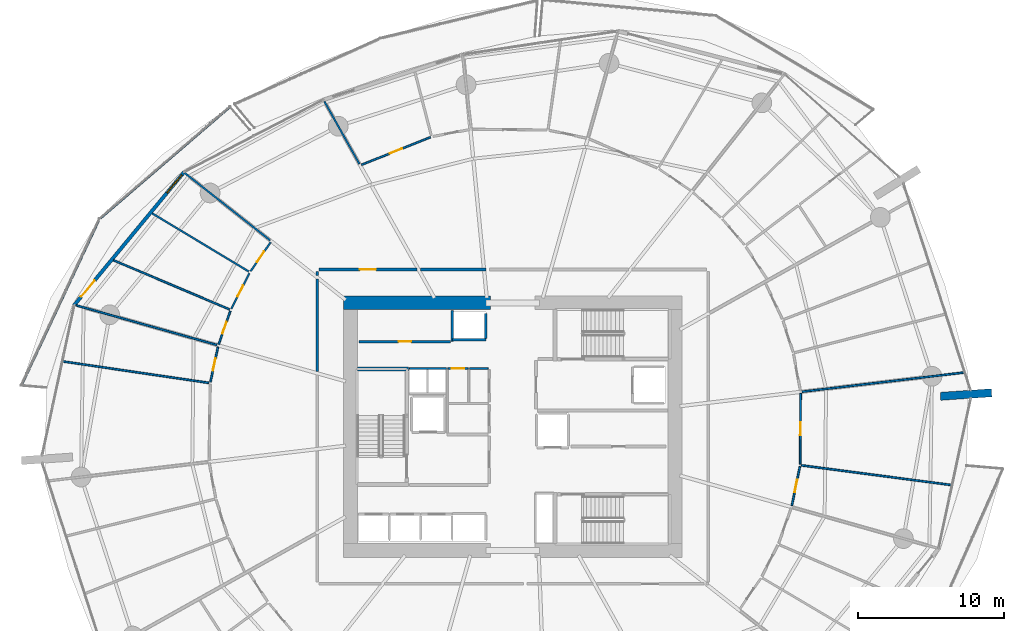
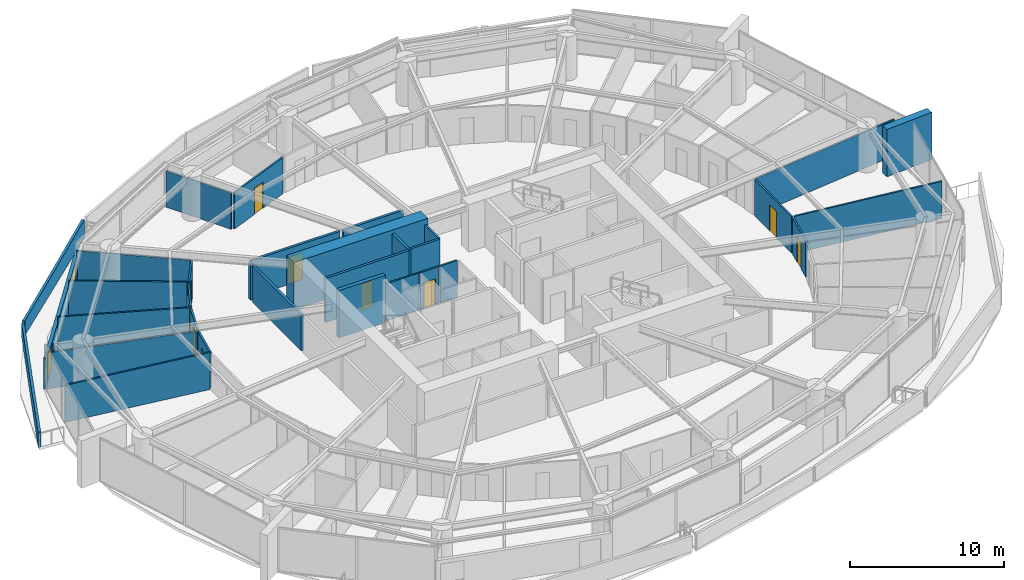
# One storey, part 22 of 31: 32 walls, 11 doors, 1 window, 12 openings.
"""IFC4 building model written with IfcOpenShell, lengths in metres."""

from ifc_helpers import new_model, si_unit, direction, frame, frame_2d, origin, place, context, subcontext, project, spatial, polyline, rectangle, outline, extrude, material, layer, layer_set, type_object, element, fill, save


model = new_model("IFC4")

# Units and contexts
model_context = context("Model", 3, precision=1e-05, world=origin(), true_north=direction((0.0, 1.0)))
body_context = subcontext(model_context, "Body", "Model", "MODEL_VIEW")
ifc_project = project(units=[si_unit("LENGTHUNIT", "METRE"), si_unit("AREAUNIT", "SQUARE_METRE"), si_unit("VOLUMEUNIT", "CUBIC_METRE"), si_unit("PLANEANGLEUNIT", "RADIAN"), si_unit("MASSUNIT", "GRAM", prefix="KILO")], contexts=[model_context])

# Site, building, storey
site_placement = place(None, origin())
site = spatial("IfcSite", under=ifc_project, at=site_placement, CompositionType="ELEMENT")
building_placement = place(site_placement, origin())
building = spatial("IfcBuilding", under=site, at=building_placement, Name="Kazma Halo Residences", CompositionType="ELEMENT")
storey_placement = place(building_placement, frame((0.0, 0.0, 30.14990234375)))
storey = spatial("IfcBuildingStorey", under=building, at=storey_placement, Name="L06", CompositionType="ELEMENT", Elevation=30.14990234375)

# Walls
ifc_material_1 = material(Name="White Concrete C50/60 Balustrade", Category="concrete")
ifc_layer_1 = layer(ifc_material_1, 0.179931640625)
ifc_layer_set_1 = layer_set([ifc_layer_1], Name="White Concrete C50/60 Balustrade")
wall_type_1 = type_object("IfcWallType", Name="WL-BAL-WAVE-180", PredefinedType="PARAPET", material=ifc_layer_set_1)
wall_1_placement = place(storey_placement, frame((29.07958984375, 63.881103515625, 0.0), z_axis=(0.0, 0.0, 1.0), x_axis=(-0.758371329303, -0.651822772609, 0.0)))
element("IfcWall", 1, at=wall_1_placement, inside=storey, type_object=wall_type_1, Name="L06 white wave balustrade wall NW.1", PredefinedType="PARAPET", context=body_context, shape_type="SweptSolid", body=[
    extrude(outline(polyline([(0.0, 0.0), (11.669921875, 0.0), (11.669677734375, 1.148193359375), (5.8349609375, 1.2841796875), (0.0, 1.483154296875), (0.0, 0.0)])), frame((0.0, 0.08984375, 0.0), z_axis=(0.0, -1.0, 0.0), x_axis=(1.0, 0.0, 0.0)), (0.0, 0.0, 1.0), 0.179931640625),
])
wall_2_placement = place(storey_placement, frame((20.087646484375, 56.08740234375, 0.0), z_axis=(0.0, 0.0, 1.0), x_axis=(-0.424187605295, -0.905574334615, 0.0)))
element("IfcWall", 2, at=wall_2_placement, inside=storey, type_object=wall_type_1, Name="L06 white wave balustrade wall NW.2", PredefinedType="PARAPET", context=body_context, shape_type="SweptSolid", body=[
    extrude(outline(polyline([(0.0, 0.0), (12.4462890625, 0.0), (12.4462890625, 1.22412109375), (6.22314453125, 1.127197265625), (0.0, 1.148193359375), (0.0, 0.0)])), frame((0.0, 0.08984375, 0.0), z_axis=(0.0, -1.0, 0.0), x_axis=(1.0, 0.0, 0.0)), (0.0, 0.0, 1.0), 0.179931640625),
])
ifc_material_2 = material(Name="Pale Concrete C60/75", Category="concrete")
ifc_layer_2 = layer(ifc_material_2, 0.550048828125)
ifc_layer_set_2 = layer_set([ifc_layer_2], Name="Pale Concrete C60/75")
wall_type_2 = type_object("IfcWallType", Name="WL-BLADE-550", PredefinedType="SOLIDWALL", material=ifc_layer_set_2)
wall_3_placement = place(storey_placement, frame((77.677978515625, 44.0751953125, 0.0), z_axis=(0.0, 0.0, 1.0), x_axis=(0.997564163539, 0.069754853754, 0.0)))
element("IfcWall", 3, at=wall_3_placement, inside=storey, type_object=wall_type_2, Name="L06 pale concrete structural blade fin wall BW-04", PredefinedType="SOLIDWALL", context=body_context, shape_type="SweptSolid", body=[
    extrude(rectangle(XDim=3.5, YDim=0.550048828125, at=frame_2d((1.75, 0.0))), origin(), (0.0, 0.0, 1.0), 3.75),
])
ifc_material_3 = material(Name="Concrete C80/95", Category="concrete")
ifc_layer_3 = layer(ifc_material_3, 0.949951171875)
ifc_layer_set_3 = layer_set([ifc_layer_3], Name="Concrete C80/95")
wall_type_3 = type_object("IfcWallType", Name="WL-CORE-950", PredefinedType="SHEAR", material=ifc_layer_set_3)
wall_4_placement = place(storey_placement, frame((36.85009765625, 50.47509765625, 0.0), z_axis=(0.0, 0.0, 1.0), x_axis=(1.0, 0.0, 0.0)))
element("IfcWall", 4, at=wall_4_placement, inside=storey, type_object=wall_type_3, Name="L06 central core shear wall NW", PredefinedType="SHEAR", context=body_context, shape_type="SweptSolid", body=[
    extrude(rectangle(XDim=10.0498046875, YDim=0.949951171875, at=frame_2d((5.02490234375, 0.0))), origin(), (0.0, 0.0, 1.0), 3.75),
])
ifc_material_4 = material(Name="Concrete C60/75", Category="concrete")
ifc_layer_4 = layer(ifc_material_4, 0.280029296875)
ifc_layer_set_4 = layer_set([ifc_layer_4], Name="Concrete C60/75")
wall_type_4 = type_object("IfcWallType", Name="WL-CORE-ST-280", PredefinedType="SHEAR", material=ifc_layer_set_4)
wall_5_placement = place(storey_placement, frame((37.800048828125, 45.93994140625, 0.0), z_axis=(0.0, 0.0, 1.0), x_axis=(1.0, 0.0, 0.0)))
element("IfcWall", 5, at=wall_5_placement, inside=storey, type_object=wall_type_4, Name="L06 stairwell bearing wall ST01-N", PredefinedType="SHEAR", context=body_context, shape_type="SweptSolid", body=[
    extrude(rectangle(XDim=3.5, YDim=0.280029296875, at=frame_2d((1.75, 0.0))), origin(), (0.0, 0.0, 1.0), 3.75),
])

# Wall, opening, door
ifc_material_5 = material(Name="Acoustic Twin-Stud Gypsum")
ifc_layer_5 = layer(ifc_material_5, 0.179931640625)
ifc_layer_set_5 = layer_set([ifc_layer_5], Name="Acoustic Twin-Stud Gypsum")
wall_type_5 = type_object("IfcWallType", Name="WL-DEM-180", PredefinedType="PARTITIONING", material=ifc_layer_set_5)
wall_6_placement = place(storey_placement, frame((41.859619140625, 52.75, 0.0), z_axis=(0.0, 0.0, 1.0), x_axis=(-1.0, 0.0, 0.0)))
wall_6 = element("IfcWall", 6, at=wall_6_placement, inside=storey, type_object=wall_type_5, Name="L06 Apartment 1 entrance corridor wall", PredefinedType="PARTITIONING", context=body_context, shape_type="SweptSolid", body=[
    extrude(rectangle(XDim=6.689697265625, YDim=0.179931640625, at=frame_2d((3.3447265625, 0.0))), origin(), (0.0, 0.0, 1.0), 2.8671875),
])
opening_1_placement = place(wall_6_placement, frame((2.794921875, 0.0, 0.0)))
opening_1 = element("IfcOpeningElement", 7, at=opening_1_placement, cuts=wall_6, Name="Opening DA-1100", PredefinedType="OPENING", context=body_context, shape_type="SweptSolid", body=[
    extrude(rectangle(XDim=1.10009765625, YDim=2.10009765625, at=frame_2d((0.550048828125, 1.050048828125))), frame((0.0, 0.099853515625, 0.0), z_axis=(0.0, -1.0, 0.0), x_axis=(1.0, 0.0, 0.0)), (0.0, 0.0, 1.0), 0.199951171875),
])
ifc_material_6 = material(Name="Acoustic Walnut Fire Leaf")
door_type_1 = type_object("IfcDoorType", Name="DR-FD60-1100", OperationType="NOTDEFINED", PredefinedType="DOOR", material=ifc_material_6)
door_1_placement = place(opening_1_placement, origin())
door_1 = element("IfcDoor", 8, at=door_1_placement, inside=storey, type_object=door_type_1, Name="L06 Apartment 1 entrance fire door", OperationType="SINGLE_SWING_RIGHT", OverallHeight=2.10009765625, OverallWidth=1.10009765625, PredefinedType="DOOR", context=body_context, shape_type="SweptSolid", body=[
    extrude(rectangle(XDim=1.10009765625, YDim=2.10009765625, at=frame_2d((0.550048828125, 1.050048828125))), frame((0.0, 0.02490234375, 0.0), z_axis=(0.0, -1.0, 0.0), x_axis=(1.0, 0.0, 0.0)), (0.0, 0.0, 1.0), 0.050048828125),
])
fill(opening_1, door_1)

# Walls
wall_7_placement = place(storey_placement, frame((35.050048828125, 52.6298828125, 0.0), z_axis=(0.0, 0.0, 1.0), x_axis=(0.0, -1.0, 0.0)))
element("IfcWall", 9, at=wall_7_placement, inside=storey, type_object=wall_type_5, Name="L06 Apartment 1 entrance corridor wall", PredefinedType="PARTITIONING", context=body_context, shape_type="SweptSolid", body=[
    extrude(rectangle(XDim=0.30078125, YDim=0.179931640625, at=frame_2d((0.150390625, 0.0))), origin(), (0.0, 0.0, 1.0), 2.8671875),
])
wall_8_placement = place(storey_placement, frame((46.607666015625, 52.75, 0.0), z_axis=(0.0, 0.0, 1.0), x_axis=(-1.0, 0.0, 0.0)))
element("IfcWall", 10, at=wall_8_placement, inside=storey, type_object=wall_type_5, Name="L06 Apartment 1 inner wall 3", PredefinedType="PARTITIONING", context=body_context, shape_type="SweptSolid", body=[
    extrude(rectangle(XDim=4.508056640625, YDim=0.179931640625, at=frame_2d((2.25390625, 0.0))), origin(), (0.0, 0.0, 1.0), 2.8671875),
])
wall_9_placement = place(storey_placement, frame((35.050048828125, 52.089111328125, 0.0), z_axis=(0.0, 0.0, 1.0), x_axis=(0.0, -1.0, 0.0)))
element("IfcWall", 11, at=wall_9_placement, inside=storey, type_object=wall_type_5, Name="L06 Apartment 1 inner wall 5", PredefinedType="PARTITIONING", context=body_context, shape_type="SweptSolid", body=[
    extrude(rectangle(XDim=6.31689453125, YDim=0.179931640625, at=frame_2d((3.158447265625, 0.0))), origin(), (0.0, 0.0, 1.0), 2.8671875),
])

# Wall, openings, door, window
ifc_material_7 = material(Name="Insulated Pale-Metal Composite Wall")
ifc_layer_6 = layer(ifc_material_7, 0.239990234375)
ifc_layer_set_6 = layer_set([ifc_layer_6], Name="Insulated Pale-Metal Composite Wall")
wall_type_6 = type_object("IfcWallType", Name="WL-EXT-HOST-240", PredefinedType="SOLIDWALL", material=ifc_layer_set_6)
wall_10_placement = place(storey_placement, frame((25.966796875, 59.433349609375, 0.0), z_axis=(0.0, 0.0, 1.0), x_axis=(-0.636674332663, -0.771132799281, 0.0)))
wall_10 = element("IfcWall", 12, at=wall_10_placement, inside=storey, type_object=wall_type_6, Name="L06 exterior terrace-access wall B06", PredefinedType="SOLIDWALL", context=body_context, shape_type="SweptSolid", body=[
    extrude(rectangle(XDim=11.851318359375, YDim=0.239990234375, at=frame_2d((5.92578125, 0.0))), origin(), (0.0, 0.0, 1.0), 2.4501953125),
])
opening_2_placement = place(wall_10_placement, frame((9.631103515625, 0.0, 0.0)))
opening_2 = element("IfcOpeningElement", 13, at=opening_2_placement, cuts=wall_10, Name="Opening DTR-1600", PredefinedType="OPENING", context=body_context, shape_type="SweptSolid", body=[
    extrude(rectangle(XDim=1.449951171875, YDim=2.14990234375, at=frame_2d((0.72509765625, 1.074951171875))), frame((0.0, 0.1298828125, 0.0), z_axis=(0.0, -1.0, 0.0), x_axis=(1.0, 0.0, 0.0)), (0.0, 0.0, 1.0), 0.260009765625),
])
opening_3_placement = place(wall_10_placement, frame((0.280029296875, 0.0, 0.64990234375)))
opening_3 = element("IfcOpeningElement", 14, at=opening_3_placement, cuts=wall_10, Name="Opening W-1800", PredefinedType="OPENING", context=body_context, shape_type="SweptSolid", body=[
    extrude(rectangle(XDim=1.60009765625, YDim=1.5, at=frame_2d((0.800048828125, 0.75))), frame((0.0, 0.1298828125, 0.0), z_axis=(0.0, -1.0, 0.0), x_axis=(1.0, 0.0, 0.0)), (0.0, 0.0, 1.0), 0.260009765625),
])
ifc_material_8 = material(Name="Aluminium AW-6063 T6 Double-Glazed Terrace Door", Category="aluminium")
door_type_2 = type_object("IfcDoorType", Name="DR-EXT-TERR-1600", OperationType="NOTDEFINED", PredefinedType="DOOR", material=ifc_material_8)
door_2_placement = place(opening_2_placement, origin())
door_2 = element("IfcDoor", 15, at=door_2_placement, inside=storey, type_object=door_type_2, Name="L06 B06 balcony terrace door", OperationType="DOUBLE_DOOR_SLIDING", OverallHeight=2.14990234375, OverallWidth=1.449951171875, PredefinedType="DOOR", context=body_context, shape_type="SweptSolid", body=[
    extrude(rectangle(XDim=1.449951171875, YDim=2.14990234375, at=frame_2d((0.72509765625, 1.074951171875))), frame((0.0, 0.02490234375, 0.0), z_axis=(0.0, -1.0, 0.0), x_axis=(1.0, 0.0, 0.0)), (0.0, 0.0, 1.0), 0.050048828125),
])
fill(opening_2, door_2)
ifc_material_9 = material(Name="Clear Triple-Silver Low-E Glass in Aluminium AW-6063 T6 Frame", Category="aluminium")
window_type = type_object("IfcWindowType", Name="WIN-RES-1800", PartitioningType="DOUBLE_PANEL_VERTICAL", PredefinedType="WINDOW", material=ifc_material_9)
window_placement = place(opening_3_placement, origin())
window = element("IfcWindow", 16, at=window_placement, inside=storey, type_object=window_type, Name="L06 B06 apartment window", OverallHeight=1.5, OverallWidth=1.60009765625, PartitioningType="SINGLE_PANEL", PredefinedType="WINDOW", context=body_context, shape_type="SweptSolid", body=[
    extrude(rectangle(XDim=1.60009765625, YDim=1.5, at=frame_2d((0.800048828125, 0.75))), frame((0.0, 0.030029296875, 0.0), z_axis=(0.0, -1.0, 0.0), x_axis=(1.0, 0.0, 0.0)), (0.0, 0.0, 1.0), 0.06005859375),
])
fill(opening_3, window)

# Walls
ifc_material_10 = material(Name="Fire-Rated Blockwork Masonry", Category="masonry")
ifc_layer_7 = layer(ifc_material_10, 0.199951171875)
ifc_layer_set_7 = layer_set([ifc_layer_7], Name="Fire-Rated Blockwork Masonry")
wall_type_7 = type_object("IfcWallType", Name="WL-FLB-200", PredefinedType="PARTITIONING", material=ifc_layer_set_7)
wall_11_placement = place(storey_placement, frame((46.580078125, 47.945068359375, 0.0), z_axis=(0.0, 0.0, 1.0), x_axis=(-1.0, 0.0, 0.0)))
element("IfcWall", 17, at=wall_11_placement, inside=storey, type_object=wall_type_7, Name="L06 lift shaft PX-01 front wall", PredefinedType="PARTITIONING", context=body_context, shape_type="SweptSolid", body=[
    extrude(rectangle(XDim=2.260009765625, YDim=0.159912109375, at=frame_2d((1.1298828125, 0.0))), origin(), (0.0, 0.0, 1.0), 3.5),
])
wall_12_placement = place(storey_placement, frame((46.580078125, 48.044921875, 0.0), z_axis=(0.0, 0.0, 1.0), x_axis=(0.0, 1.0, 0.0)))
element("IfcWall", 18, at=wall_12_placement, inside=storey, type_object=wall_type_7, Name="L06 lift shaft PX-01 side wall E", PredefinedType="PARTITIONING", context=body_context, shape_type="SweptSolid", body=[
    extrude(rectangle(XDim=1.7099609375, YDim=0.159912109375, at=frame_2d((0.85498046875, 0.0))), origin(), (0.0, 0.0, 1.0), 3.5),
])

# Wall, opening, door
wall_13_placement = place(storey_placement, frame((37.919921875, 47.820068359375, 0.0), z_axis=(0.0, 0.0, 1.0), x_axis=(1.0, 0.0, 0.0)))
wall_13 = element("IfcWall", 19, at=wall_13_placement, inside=storey, type_object=wall_type_7, Name="L06 core north reserve wall", PredefinedType="PARTITIONING", context=body_context, shape_type="SweptSolid", body=[
    extrude(rectangle(XDim=6.260009765625, YDim=0.179931640625, at=frame_2d((3.1298828125, 0.0))), origin(), (0.0, 0.0, 1.0), 3.5),
])
opening_4_placement = place(wall_13_placement, frame((2.705078125, 0.0, 0.0)))
opening_4 = element("IfcOpeningElement", 20, at=opening_4_placement, cuts=wall_13, Name="Opening DS-850", PredefinedType="OPENING", context=body_context, shape_type="SweptSolid", body=[
    extrude(rectangle(XDim=0.85009765625, YDim=2.06005859375, at=frame_2d((0.425048828125, 1.030029296875))), frame((0.0, 0.099853515625, 0.0), z_axis=(0.0, -1.0, 0.0), x_axis=(1.0, 0.0, 0.0)), (0.0, 0.0, 1.0), 0.199951171875),
])
ifc_material_11 = material(Name="Painted Steel Access Leaf", Category="steel")
door_type_3 = type_object("IfcDoorType", Name="DR-SVC-850", OperationType="NOTDEFINED", PredefinedType="DOOR", material=ifc_material_11)
door_3_placement = place(opening_4_placement, origin())
door_3 = element("IfcDoor", 21, at=door_3_placement, inside=storey, type_object=door_type_3, Name="L06 core north reserve door", OperationType="SINGLE_SWING_RIGHT", OverallHeight=2.06005859375, OverallWidth=0.85009765625, PredefinedType="DOOR", context=body_context, shape_type="SweptSolid", body=[
    extrude(rectangle(XDim=0.85009765625, YDim=2.06005859375, at=frame_2d((0.425048828125, 1.030029296875))), frame((0.0, 0.02490234375, 0.0), z_axis=(0.0, -1.0, 0.0), x_axis=(1.0, 0.0, 0.0)), (0.0, 0.0, 1.0), 0.050048828125),
])
fill(opening_4, door_3)

# Walls
wall_14_placement = place(storey_placement, frame((44.280029296875, 47.820068359375, 0.0), z_axis=(0.0, 0.0, 1.0), x_axis=(0.0, 1.0, 0.0)))
element("IfcWall", 22, at=wall_14_placement, inside=storey, type_object=wall_type_7, Name="L06 PX-01 hoistway west wall", PredefinedType="PARTITIONING", context=body_context, shape_type="SweptSolid", body=[
    extrude(rectangle(XDim=2.1298828125, YDim=0.179931640625, at=frame_2d((1.06494140625, 0.0))), origin(), (0.0, 0.0, 1.0), 3.5),
])
ifc_material_12 = material(Name="Gypsum Plasterboard Partition")
ifc_layer_8 = layer(ifc_material_12, 0.125)
ifc_layer_set_8 = layer_set([ifc_layer_8], Name="Gypsum Plasterboard Partition")
wall_type_8 = type_object("IfcWallType", Name="WL-PART-125", PredefinedType="PARTITIONING", material=ifc_layer_set_8)
wall_15_placement = place(storey_placement, frame((41.35009765625, 45.97998046875, 0.0), z_axis=(0.0, 0.0, 1.0), x_axis=(1.0, 0.0, 0.0)))
element("IfcWall", 23, at=wall_15_placement, inside=storey, type_object=wall_type_8, Name="L06 core riser NW wall", PredefinedType="PARTITIONING", context=body_context, shape_type="SweptSolid", body=[
    extrude(rectangle(XDim=2.52978515625, YDim=0.125, at=frame_2d((1.264892578125, 0.0))), origin(), (0.0, 0.0, 1.0), 2.940185546875),
])

# Wall, opening, door
wall_16_placement = place(storey_placement, frame((43.989990234375, 45.97998046875, 0.0), z_axis=(0.0, 0.0, 1.0), x_axis=(1.0, 0.0, 0.0)))
wall_16 = element("IfcWall", 24, at=wall_16_placement, inside=storey, type_object=wall_type_8, Name="L06 cleaners cupboard north wall", PredefinedType="PARTITIONING", context=body_context, shape_type="SweptSolid", body=[
    extrude(rectangle(XDim=1.380126953125, YDim=0.125, at=frame_2d((0.68994140625, 0.0))), origin(), (0.0, 0.0, 1.0), 2.940185546875),
])
opening_5_placement = place(wall_16_placement, frame((0.264892578125, 0.0, 0.0)))
opening_5 = element("IfcOpeningElement", 25, at=opening_5_placement, cuts=wall_16, Name="Opening DS-850", PredefinedType="OPENING", context=body_context, shape_type="SweptSolid", body=[
    extrude(rectangle(XDim=0.85009765625, YDim=2.06005859375, at=frame_2d((0.425048828125, 1.030029296875))), frame((0.0, 0.072509765625, 0.0), z_axis=(0.0, -1.0, 0.0), x_axis=(1.0, 0.0, 0.0)), (0.0, 0.0, 1.0), 0.14501953125),
])
door_4_placement = place(opening_5_placement, origin())
door_4 = element("IfcDoor", 26, at=door_4_placement, inside=storey, type_object=door_type_3, Name="L06 cleaners cupboard door", OperationType="SINGLE_SWING_LEFT", OverallHeight=2.06005859375, OverallWidth=0.85009765625, PredefinedType="DOOR", context=body_context, shape_type="SweptSolid", body=[
    extrude(rectangle(XDim=0.85009765625, YDim=2.06005859375, at=frame_2d((0.425048828125, 1.030029296875))), frame((0.0, 0.02490234375, 0.0), z_axis=(0.0, -1.0, 0.0), x_axis=(1.0, 0.0, 0.0)), (0.0, 0.0, 1.0), 0.050048828125),
])
fill(opening_5, door_4)

# Walls
wall_17_placement = place(storey_placement, frame((45.47998046875, 45.97998046875, 0.0), z_axis=(0.0, 0.0, 1.0), x_axis=(1.0, 0.0, 0.0)))
element("IfcWall", 27, at=wall_17_placement, inside=storey, type_object=wall_type_8, Name="L06 sub-metering north wall", PredefinedType="PARTITIONING", context=body_context, shape_type="SweptSolid", body=[
    extrude(rectangle(XDim=1.260009765625, YDim=0.125, at=frame_2d((0.6298828125, 0.0))), origin(), (0.0, 0.0, 1.0), 2.940185546875),
])
wall_18_placement = place(storey_placement, frame((37.942626953125, 59.95849609375, 0.0), z_axis=(0.0, 0.0, 1.0), x_axis=(-0.488606395453, 0.872504321091, 0.0)))
element("IfcWall", 28, at=wall_18_placement, inside=storey, type_object=wall_type_8, Name="L06 Apartment 1 living radial partition 3", PredefinedType="PARTITIONING", context=body_context, shape_type="SweptSolid", body=[
    extrude(rectangle(XDim=4.912841796875, YDim=0.125, at=frame_2d((2.45654296875, 0.0))), origin(), (0.0, 0.0, 1.0), 2.8671875),
])

# Wall, opening, door
wall_19_placement = place(storey_placement, frame((42.79150390625, 61.798095703125, 0.0), z_axis=(0.0, 0.0, 1.0), x_axis=(-0.928027868691, -0.372510771566, 0.0)))
wall_19 = element("IfcWall", 29, at=wall_19_placement, inside=storey, type_object=wall_type_8, Name="L06 Apartment 1 Outer Master Bedroom hall wall", PredefinedType="PARTITIONING", context=body_context, shape_type="SweptSolid", body=[
    extrude(rectangle(XDim=5.072021484375, YDim=0.125, at=frame_2d((2.5361328125, 0.0))), origin(), (0.0, 0.0, 1.0), 2.8671875),
])
opening_6_placement = place(wall_19_placement, frame((2.0859375, 0.0, 0.0)))
opening_6 = element("IfcOpeningElement", 30, at=opening_6_placement, cuts=wall_19, Name="Opening DI-950", PredefinedType="OPENING", context=body_context, shape_type="SweptSolid", body=[
    extrude(rectangle(XDim=0.89990234375, YDim=2.080078125, at=frame_2d((0.449951171875, 1.0400390625))), frame((0.0, 0.072509765625, 0.0), z_axis=(0.0, -1.0, 0.0), x_axis=(1.0, 0.0, 0.0)), (0.0, 0.0, 1.0), 0.14501953125),
])
ifc_material_13 = material(Name="Timber Veneer Flush Leaf", Category="wood")
door_type_4 = type_object("IfcDoorType", Name="DR-INT-950", OperationType="NOTDEFINED", PredefinedType="DOOR", material=ifc_material_13)
door_5_placement = place(opening_6_placement, origin())
door_5 = element("IfcDoor", 31, at=door_5_placement, inside=storey, type_object=door_type_4, Name="L06 Apartment 1 Outer Master Bedroom door", OperationType="SINGLE_SWING_RIGHT", OverallHeight=2.080078125, OverallWidth=0.89990234375, PredefinedType="DOOR", context=body_context, shape_type="SweptSolid", body=[
    extrude(rectangle(XDim=0.89990234375, YDim=2.080078125, at=frame_2d((0.449951171875, 1.0400390625))), frame((0.0, 0.02490234375, 0.0), z_axis=(0.0, -1.0, 0.0), x_axis=(1.0, 0.0, 0.0)), (0.0, 0.0, 1.0), 0.050048828125),
])
fill(opening_6, door_5)

# Walls
wall_20_placement = place(storey_placement, frame((31.8359375, 54.742919921875, 0.0), z_axis=(0.0, 0.0, 1.0), x_axis=(-0.785333171854, 0.619073347178, 0.0)))
element("IfcWall", 32, at=wall_20_placement, inside=storey, type_object=wall_type_8, Name="L06 Apartment 1 radial partition 5", PredefinedType="PARTITIONING", context=body_context, shape_type="SweptSolid", body=[
    extrude(rectangle(XDim=7.489013671875, YDim=0.125, at=frame_2d((3.74462890625, 0.0))), origin(), (0.0, 0.0, 1.0), 2.8671875),
])
wall_21_placement = place(storey_placement, frame((30.374755859375, 52.611083984375, 0.0), z_axis=(0.0, 0.0, 1.0), x_axis=(-0.856697740307, 0.515818748936, 0.0)))
element("IfcWall", 33, at=wall_21_placement, inside=storey, type_object=wall_type_8, Name="L06 Apartment 1 bay wall 1 5", PredefinedType="PARTITIONING", context=body_context, shape_type="SweptSolid", body=[
    extrude(rectangle(XDim=7.70361328125, YDim=0.125, at=frame_2d((3.851806640625, 0.0))), origin(), (0.0, 0.0, 1.0), 2.940185546875),
])
wall_22_placement = place(storey_placement, frame((29.055419921875, 50.02197265625, 0.0), z_axis=(0.0, 0.0, 1.0), x_axis=(-0.920841617163, 0.389936810395, 0.0)))
element("IfcWall", 34, at=wall_22_placement, inside=storey, type_object=wall_type_8, Name="L06 Apartment 1 bay wall 2 5", PredefinedType="PARTITIONING", context=body_context, shape_type="SweptSolid", body=[
    extrude(rectangle(XDim=8.61279296875, YDim=0.125, at=frame_2d((4.306396484375, 0.0))), origin(), (0.0, 0.0, 1.0), 2.940185546875),
])

# Wall, opening, door
wall_23_placement = place(storey_placement, frame((31.868896484375, 54.614990234375, 0.0), z_axis=(0.0, 0.0, 1.0), x_axis=(-0.568588801709, -0.822621890404, 0.0)))
wall_23 = element("IfcWall", 35, at=wall_23_placement, inside=storey, type_object=wall_type_8, Name="L06 Apartment 1 Corner Bedroom hall wall", PredefinedType="PARTITIONING", context=body_context, shape_type="SweptSolid", body=[
    extrude(rectangle(XDim=2.412353515625, YDim=0.125, at=frame_2d((1.2060546875, 0.0))), origin(), (0.0, 0.0, 1.0), 2.8671875),
])
opening_7_placement = place(wall_23_placement, frame((0.78125, 0.0, 0.0)))
opening_7 = element("IfcOpeningElement", 36, at=opening_7_placement, cuts=wall_23, Name="Opening DB-900", PredefinedType="OPENING", context=body_context, shape_type="SweptSolid", body=[
    extrude(rectangle(XDim=0.85009765625, YDim=2.06005859375, at=frame_2d((0.425048828125, 1.030029296875))), frame((0.0, 0.072509765625, 0.0), z_axis=(0.0, -1.0, 0.0), x_axis=(1.0, 0.0, 0.0)), (0.0, 0.0, 1.0), 0.14501953125),
])
ifc_material_14 = material(Name="Moisture-Sealed Timber Leaf", Category="wood")
door_type_5 = type_object("IfcDoorType", Name="DR-BTH-900", OperationType="NOTDEFINED", PredefinedType="DOOR", material=ifc_material_14)
door_6_placement = place(opening_7_placement, origin())
door_6 = element("IfcDoor", 37, at=door_6_placement, inside=storey, type_object=door_type_5, Name="L06 Apartment 1 Corner Bedroom door", OperationType="SINGLE_SWING_LEFT", OverallHeight=2.06005859375, OverallWidth=0.85009765625, PredefinedType="DOOR", context=body_context, shape_type="SweptSolid", body=[
    extrude(rectangle(XDim=0.85009765625, YDim=2.06005859375, at=frame_2d((0.425048828125, 1.030029296875))), frame((0.0, 0.02490234375, 0.0), z_axis=(0.0, -1.0, 0.0), x_axis=(1.0, 0.0, 0.0)), (0.0, 0.0, 1.0), 0.050048828125),
])
fill(opening_7, door_6)

wall_24_placement = place(storey_placement, frame((30.41552734375, 52.493408203125, 0.0), z_axis=(0.0, 0.0, 1.0), x_axis=(-0.454024795493, -0.890989048798, 0.0)))
wall_24 = element("IfcWall", 38, at=wall_24_placement, inside=storey, type_object=wall_type_8, Name="L06 Apartment 1 Garden Dressing Wardrobe hall wall", PredefinedType="PARTITIONING", context=body_context, shape_type="SweptSolid", body=[
    extrude(rectangle(XDim=2.733154296875, YDim=0.125, at=frame_2d((1.36669921875, 0.0))), origin(), (0.0, 0.0, 1.0), 2.940185546875),
])
opening_8_placement = place(wall_24_placement, frame((0.941650390625, 0.0, 0.0)))
opening_8 = element("IfcOpeningElement", 39, at=opening_8_placement, cuts=wall_24, Name="Opening DB-900", PredefinedType="OPENING", context=body_context, shape_type="SweptSolid", body=[
    extrude(rectangle(XDim=0.85009765625, YDim=2.06005859375, at=frame_2d((0.425048828125, 1.030029296875))), frame((0.0, 0.072509765625, 0.0), z_axis=(0.0, -1.0, 0.0), x_axis=(1.0, 0.0, 0.0)), (0.0, 0.0, 1.0), 0.14501953125),
])
door_7_placement = place(opening_8_placement, origin())
door_7 = element("IfcDoor", 40, at=door_7_placement, inside=storey, type_object=door_type_5, Name="L06 Apartment 1 Garden Dressing Wardrobe door", OperationType="SINGLE_SWING_RIGHT", OverallHeight=2.06005859375, OverallWidth=0.85009765625, PredefinedType="DOOR", context=body_context, shape_type="SweptSolid", body=[
    extrude(rectangle(XDim=0.85009765625, YDim=2.06005859375, at=frame_2d((0.425048828125, 1.030029296875))), frame((0.0, 0.02490234375, 0.0), z_axis=(0.0, -1.0, 0.0), x_axis=(1.0, 0.0, 0.0)), (0.0, 0.0, 1.0), 0.050048828125),
])
fill(opening_8, door_7)

wall_25_placement = place(storey_placement, frame((29.11181640625, 49.911376953125, 0.0), z_axis=(0.0, 0.0, 1.0), x_axis=(-0.331369117911, -0.943501196446, 0.0)))
wall_25 = element("IfcWall", 41, at=wall_25_placement, inside=storey, type_object=wall_type_8, Name="L06 Apartment 1 Sky Bedroom hall wall", PredefinedType="PARTITIONING", context=body_context, shape_type="SweptSolid", body=[
    extrude(rectangle(XDim=2.412109375, YDim=0.125, at=frame_2d((1.2060546875, 0.0))), origin(), (0.0, 0.0, 1.0), 2.8671875),
])
opening_9_placement = place(wall_25_placement, frame((0.781005859375, 0.0, 0.0)))
opening_9 = element("IfcOpeningElement", 42, at=opening_9_placement, cuts=wall_25, Name="Opening DB-900", PredefinedType="OPENING", context=body_context, shape_type="SweptSolid", body=[
    extrude(rectangle(XDim=0.85009765625, YDim=2.06005859375, at=frame_2d((0.425048828125, 1.030029296875))), frame((0.0, 0.072509765625, 0.0), z_axis=(0.0, -1.0, 0.0), x_axis=(1.0, 0.0, 0.0)), (0.0, 0.0, 1.0), 0.14501953125),
])
door_8_placement = place(opening_9_placement, origin())
door_8 = element("IfcDoor", 43, at=door_8_placement, inside=storey, type_object=door_type_5, Name="L06 Apartment 1 Sky Bedroom door", OperationType="SINGLE_SWING_LEFT", OverallHeight=2.06005859375, OverallWidth=0.85009765625, PredefinedType="DOOR", context=body_context, shape_type="SweptSolid", body=[
    extrude(rectangle(XDim=0.85009765625, YDim=2.06005859375, at=frame_2d((0.425048828125, 1.030029296875))), frame((0.0, 0.02490234375, 0.0), z_axis=(0.0, -1.0, 0.0), x_axis=(1.0, 0.0, 0.0)), (0.0, 0.0, 1.0), 0.050048828125),
])
fill(opening_9, door_8)

# Walls
wall_26_placement = place(storey_placement, frame((28.189697265625, 47.5869140625, 0.0), z_axis=(0.0, 0.0, 1.0), x_axis=(-0.962452458747, 0.271450298675, 0.0)))
element("IfcWall", 44, at=wall_26_placement, inside=storey, type_object=wall_type_8, Name="L06 Apartment 1 radial partition 6", PredefinedType="PARTITIONING", context=body_context, shape_type="SweptSolid", body=[
    extrude(rectangle(XDim=9.991455078125, YDim=0.125, at=frame_2d((4.99560546875, 0.0))), origin(), (0.0, 0.0, 1.0), 2.8671875),
])
wall_27_placement = place(storey_placement, frame((27.646240234375, 44.99462890625, 0.0), z_axis=(0.0, 0.0, 1.0), x_axis=(-0.989346856364, 0.145577463234, 0.0)))
element("IfcWall", 45, at=wall_27_placement, inside=storey, type_object=wall_type_8, Name="L06 Apartment 1 mid-bay wall 6", PredefinedType="PARTITIONING", context=body_context, shape_type="SweptSolid", body=[
    extrude(rectangle(XDim=10.104248046875, YDim=0.125, at=frame_2d((5.05224609375, 0.0))), origin(), (0.0, 0.0, 1.0), 2.940185546875),
])

# Wall, opening, door
wall_28_placement = place(storey_placement, frame((28.26513671875, 47.462158203125, 0.0), z_axis=(0.0, 0.0, 1.0), x_axis=(-0.20890462523, -0.977936019153, 0.0)))
wall_28 = element("IfcWall", 46, at=wall_28_placement, inside=storey, type_object=wall_type_8, Name="L06 Apartment 1 Gulf Wine Pantry Store hall wall", PredefinedType="PARTITIONING", context=body_context, shape_type="SweptSolid", body=[
    extrude(rectangle(XDim=2.45654296875, YDim=0.125, at=frame_2d((1.228271484375, 0.0))), origin(), (0.0, 0.0, 1.0), 2.8671875),
])
opening_10_placement = place(wall_28_placement, frame((0.80322265625, 0.0, 0.0)))
opening_10 = element("IfcOpeningElement", 47, at=opening_10_placement, cuts=wall_28, Name="Opening DB-900", PredefinedType="OPENING", context=body_context, shape_type="SweptSolid", body=[
    extrude(rectangle(XDim=0.85009765625, YDim=2.06005859375, at=frame_2d((0.425048828125, 1.030029296875))), frame((0.0, 0.072509765625, 0.0), z_axis=(0.0, -1.0, 0.0), x_axis=(1.0, 0.0, 0.0)), (0.0, 0.0, 1.0), 0.14501953125),
])
door_9_placement = place(opening_10_placement, origin())
door_9 = element("IfcDoor", 48, at=door_9_placement, inside=storey, type_object=door_type_5, Name="L06 Apartment 1 Gulf Wine Pantry Store door", OperationType="SINGLE_SWING_LEFT", OverallHeight=2.06005859375, OverallWidth=0.85009765625, PredefinedType="DOOR", context=body_context, shape_type="SweptSolid", body=[
    extrude(rectangle(XDim=0.85009765625, YDim=2.06005859375, at=frame_2d((0.425048828125, 1.030029296875))), frame((0.0, 0.02490234375, 0.0), z_axis=(0.0, -1.0, 0.0), x_axis=(1.0, 0.0, 0.0)), (0.0, 0.0, 1.0), 0.050048828125),
])
fill(opening_10, door_9)

# Wall
wall_29_placement = place(storey_placement, frame((68.17041015625, 39.355224609375, 0.0), z_axis=(0.0, 0.0, 1.0), x_axis=(0.991512615626, -0.130010511326, 0.0)))
element("IfcWall", 49, at=wall_29_placement, inside=storey, type_object=wall_type_8, Name="L06 Apartment 2 mid-bay wall 14", PredefinedType="PARTITIONING", context=body_context, shape_type="SweptSolid", body=[
    extrude(rectangle(XDim=10.369384765625, YDim=0.125, at=frame_2d((5.1845703125, 0.0))), origin(), (0.0, 0.0, 1.0), 2.940185546875),
])

# Wall, opening, door
wall_30_placement = place(storey_placement, frame((67.5126953125, 36.6005859375, 0.0), z_axis=(0.0, 0.0, 1.0), x_axis=(0.201246233374, 0.979540684991, 0.0)))
wall_30 = element("IfcWall", 50, at=wall_30_placement, inside=storey, type_object=wall_type_8, Name="L06 Apartment 2 Gulf Wine Pantry Store hall wall", PredefinedType="PARTITIONING", context=body_context, shape_type="SweptSolid", body=[
    extrude(rectangle(XDim=2.744140625, YDim=0.125, at=frame_2d((1.3720703125, 0.0))), origin(), (0.0, 0.0, 1.0), 2.8671875),
])
opening_11_placement = place(wall_30_placement, frame((0.947021484375, 0.0, 0.0)))
opening_11 = element("IfcOpeningElement", 51, at=opening_11_placement, cuts=wall_30, Name="Opening DB-900", PredefinedType="OPENING", context=body_context, shape_type="SweptSolid", body=[
    extrude(rectangle(XDim=0.85009765625, YDim=2.06005859375, at=frame_2d((0.425048828125, 1.030029296875))), frame((0.0, 0.072509765625, 0.0), z_axis=(0.0, -1.0, 0.0), x_axis=(1.0, 0.0, 0.0)), (0.0, 0.0, 1.0), 0.14501953125),
])
door_10_placement = place(opening_11_placement, origin())
door_10 = element("IfcDoor", 52, at=door_10_placement, inside=storey, type_object=door_type_5, Name="L06 Apartment 2 Gulf Wine Pantry Store door", OperationType="SINGLE_SWING_LEFT", OverallHeight=2.06005859375, OverallWidth=0.85009765625, PredefinedType="DOOR", context=body_context, shape_type="SweptSolid", body=[
    extrude(rectangle(XDim=0.85009765625, YDim=2.06005859375, at=frame_2d((0.425048828125, 1.030029296875))), frame((0.0, 0.02490234375, 0.0), z_axis=(0.0, -1.0, 0.0), x_axis=(1.0, 0.0, 0.0)), (0.0, 0.0, 1.0), 0.050048828125),
])
fill(opening_11, door_10)

wall_31_placement = place(storey_placement, frame((68.08154296875, 39.447021484375, 0.0), z_axis=(0.0, 0.0, 1.0), x_axis=(0.006313643226, 0.999980068756, 0.0)))
wall_31 = element("IfcWall", 53, at=wall_31_placement, inside=storey, type_object=wall_type_8, Name="L06 Apartment 2 Primary Formal Dining Room hall wall", PredefinedType="PARTITIONING", context=body_context, shape_type="SweptSolid", body=[
    extrude(rectangle(XDim=4.83349609375, YDim=0.125, at=frame_2d((2.416748046875, 0.0))), origin(), (0.0, 0.0, 1.0), 2.8671875),
])
opening_12_placement = place(wall_31_placement, frame((1.966796875, 0.0, 0.0)))
opening_12 = element("IfcOpeningElement", 54, at=opening_12_placement, cuts=wall_31, Name="Opening DI-950", PredefinedType="OPENING", context=body_context, shape_type="SweptSolid", body=[
    extrude(rectangle(XDim=0.89990234375, YDim=2.080078125, at=frame_2d((0.449951171875, 1.0400390625))), frame((0.0, 0.072509765625, 0.0), z_axis=(0.0, -1.0, 0.0), x_axis=(1.0, 0.0, 0.0)), (0.0, 0.0, 1.0), 0.14501953125),
])
door_11_placement = place(opening_12_placement, origin())
door_11 = element("IfcDoor", 55, at=door_11_placement, inside=storey, type_object=door_type_4, Name="L06 Apartment 2 Primary Formal Dining Room door", OperationType="SINGLE_SWING_RIGHT", OverallHeight=2.080078125, OverallWidth=0.89990234375, PredefinedType="DOOR", context=body_context, shape_type="SweptSolid", body=[
    extrude(rectangle(XDim=0.89990234375, YDim=2.080078125, at=frame_2d((0.449951171875, 1.0400390625))), frame((0.0, 0.02490234375, 0.0), z_axis=(0.0, -1.0, 0.0), x_axis=(1.0, 0.0, 0.0)), (0.0, 0.0, 1.0), 0.050048828125),
])
fill(opening_12, door_11)

# Wall
wall_32_placement = place(storey_placement, frame((68.2119140625, 44.392333984375, 0.0), z_axis=(0.0, 0.0, 1.0), x_axis=(0.993068868454, 0.117533920671, 0.0)))
element("IfcWall", 56, at=wall_32_placement, inside=storey, type_object=wall_type_8, Name="L06 Apartment 2 radial partition 15", PredefinedType="PARTITIONING", context=body_context, shape_type="SweptSolid", body=[
    extrude(rectangle(XDim=11.185791015625, YDim=0.125, at=frame_2d((5.5927734375, 0.0))), origin(), (0.0, 0.0, 1.0), 2.8671875),
])

save(model, "model.ifc")
